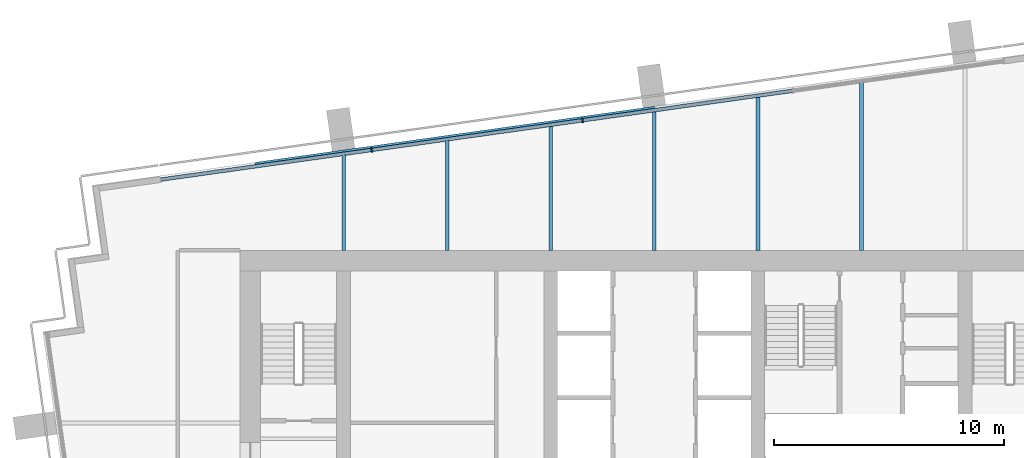
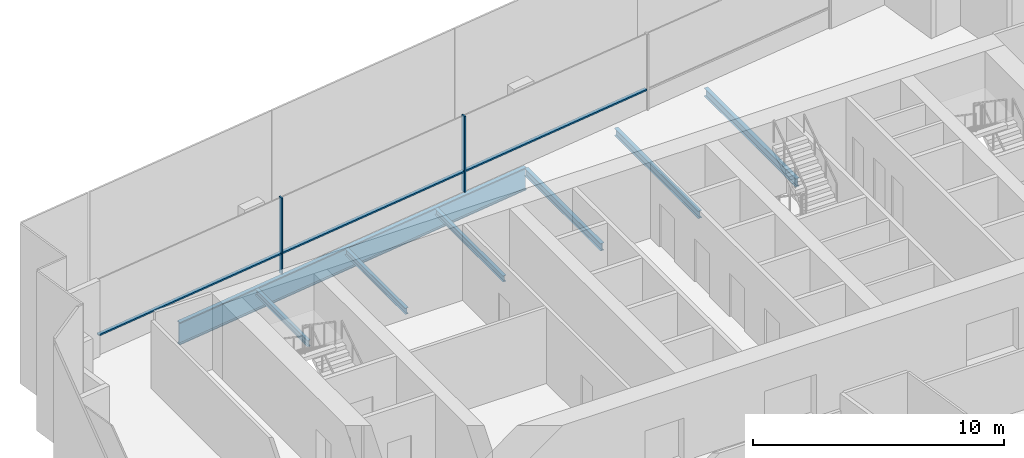
# One storey, part 5 of 15: 7 beams, 5 members, 1 element without a shape of its own.
"""IFC4 building model written with IfcOpenShell, lengths in metres."""

from ifc_helpers import new_model, si_unit, direction, frame, origin, origin_2d, place, context, subcontext, project, spatial, rectangle, i_section, extrude, material, layer, layer_set, material_profile, profile_set, type_object, element, aggregate, save


model = new_model("IFC4")

# Units and contexts
model_context = context("Model", 3, precision=1e-05, world=origin(), true_north=direction((0.0, 1.0)))
body_context = subcontext(model_context, "Body", "Model", "MODEL_VIEW")
ifc_project = project(units=[si_unit("LENGTHUNIT", "METRE"), si_unit("AREAUNIT", "SQUARE_METRE"), si_unit("VOLUMEUNIT", "CUBIC_METRE"), si_unit("PLANEANGLEUNIT", "RADIAN"), si_unit("MASSUNIT", "GRAM", prefix="KILO")], contexts=[model_context])

# Site, building, storey
site_placement = place(None, origin())
site = spatial("IfcSite", under=ifc_project, at=site_placement, CompositionType="ELEMENT")
building_placement = place(site_placement, origin())
building = spatial("IfcBuilding", under=site, at=building_placement, Name="Rattan Terrace Tower", CompositionType="ELEMENT")
storey_placement = place(building_placement, frame((0.0, 0.0, 266.800048828125)))
storey = spatial("IfcBuildingStorey", under=building, at=storey_placement, Name="L61", CompositionType="ELEMENT", Elevation=266.800048828125)

# Beams
ifc_material_1 = material(Name="Steel S460", Category="steel")
ifc_material_profile_1 = material_profile(ifc_material_1, i_section(OverallWidth=0.179931640625, OverallDepth=1.10009765625, WebThickness=0.01611328125, FlangeThickness=0.050048828125, at=origin_2d()), Name="PG 1100x180-16-50")
ifc_profile_set_1 = profile_set([ifc_material_profile_1], Name="Steel S460")
beam_type_1 = type_object("IfcBeamType", Name="Frame edge girder PG 1100x180-16-50", PredefinedType="SPANDREL", material=ifc_profile_set_1)
beam_1_placement = place(storey_placement, frame((-17.347900390625, 11.22900390625, -0.75), z_axis=(0.990275473288, 0.139120404699, 0.0), x_axis=(-0.139120404699, 0.990275473288, 0.0)))
element("IfcBeam", 1, at=beam_1_placement, inside=storey, type_object=beam_type_1, Name="gdr-L61-005", PredefinedType="SPANDREL", context=body_context, shape_type="SweptSolid", body=[
    extrude(i_section(OverallWidth=0.179931640625, OverallDepth=1.10009765625, WebThickness=0.01611328125, FlangeThickness=0.050048828125, at=origin_2d()), origin(), (0.0, 0.0, 1.0), 17.53125),
])
ifc_material_2 = material(Name="Steel S355", Category="steel")
ifc_material_profile_2 = material_profile(ifc_material_2, i_section(OverallWidth=0.14990234375, OverallDepth=0.300048828125, WebThickness=0.007080078125, FlangeThickness=0.0107421875, FilletRadius=0.014892578125, at=origin_2d()), Name="IPE 300")
ifc_profile_set_2 = profile_set([ifc_material_profile_2], Name="Steel S355")
beam_type_2 = type_object("IfcBeamType", Name="Frame floor beam IPE 300", PredefinedType="JOIST", material=ifc_profile_set_2)
beam_2_placement = place(storey_placement, frame((-13.5, 7.5, -0.35009765625), z_axis=(0.0, 1.0, 0.0), x_axis=(-1.0, 0.0, 0.0)))
element("IfcBeam", 2, at=beam_2_placement, inside=storey, type_object=beam_type_2, Name="bm-L61-015", PredefinedType="JOIST", context=body_context, shape_type="SweptSolid", body=[
    extrude(i_section(OverallWidth=0.14990234375, OverallDepth=0.300048828125, WebThickness=0.007080078125, FlangeThickness=0.0107421875, FilletRadius=0.014892578125, at=origin_2d()), origin(), (0.0, 0.0, 1.0), 4.16796875),
])
beam_3_placement = place(storey_placement, frame((-9.0, 7.5, -0.35009765625), z_axis=(0.0, 1.0, 0.0), x_axis=(-1.0, 0.0, 0.0)))
element("IfcBeam", 3, at=beam_3_placement, inside=storey, type_object=beam_type_2, Name="bm-L61-016", PredefinedType="JOIST", context=body_context, shape_type="SweptSolid", body=[
    extrude(i_section(OverallWidth=0.14990234375, OverallDepth=0.300048828125, WebThickness=0.007080078125, FlangeThickness=0.0107421875, FilletRadius=0.014892578125, at=origin_2d()), origin(), (0.0, 0.0, 1.0), 4.800048828125),
])
beam_4_placement = place(storey_placement, frame((-4.5, 7.5, -0.35009765625), z_axis=(0.0, 1.0, 0.0), x_axis=(-1.0, 0.0, 0.0)))
element("IfcBeam", 4, at=beam_4_placement, inside=storey, type_object=beam_type_2, Name="bm-L61-017", PredefinedType="JOIST", context=body_context, shape_type="SweptSolid", body=[
    extrude(i_section(OverallWidth=0.14990234375, OverallDepth=0.300048828125, WebThickness=0.007080078125, FlangeThickness=0.0107421875, FilletRadius=0.014892578125, at=origin_2d()), origin(), (0.0, 0.0, 1.0), 5.43310546875),
])
ifc_material_3 = material(Name="Steel S355", Category="steel")
ifc_material_profile_3 = material_profile(ifc_material_3, i_section(OverallWidth=0.169921875, OverallDepth=0.360107421875, WebThickness=0.008056640625, FlangeThickness=0.0126953125, FilletRadius=0.01806640625, at=origin_2d()), Name="IPE 360")
ifc_profile_set_3 = profile_set([ifc_material_profile_3], Name="Steel S355")
beam_type_3 = type_object("IfcBeamType", Name="Frame floor beam IPE 360", PredefinedType="JOIST", material=ifc_profile_set_3)
beam_5_placement = place(storey_placement, frame((0.0, 7.5, -0.380126953125), z_axis=(0.0, 1.0, 0.0), x_axis=(-1.0, 0.0, 0.0)))
element("IfcBeam", 5, at=beam_5_placement, inside=storey, type_object=beam_type_3, Name="bm-L61-018", PredefinedType="JOIST", context=body_context, shape_type="SweptSolid", body=[
    extrude(i_section(OverallWidth=0.169921875, OverallDepth=0.360107421875, WebThickness=0.008056640625, FlangeThickness=0.0126953125, FilletRadius=0.01806640625, at=origin_2d()), origin(), (0.0, 0.0, 1.0), 6.06298828125),
])
beam_6_placement = place(storey_placement, frame((4.5, 7.5, -0.380126953125), z_axis=(0.0, 1.0, 0.0), x_axis=(-1.0, 0.0, 0.0)))
element("IfcBeam", 6, at=beam_6_placement, inside=storey, type_object=beam_type_3, Name="bm-L61-019", PredefinedType="JOIST", context=body_context, shape_type="SweptSolid", body=[
    extrude(i_section(OverallWidth=0.169921875, OverallDepth=0.360107421875, WebThickness=0.008056640625, FlangeThickness=0.0126953125, FilletRadius=0.01806640625, at=origin_2d()), origin(), (0.0, 0.0, 1.0), 6.696044921875),
])
ifc_material_4 = material(Name="Steel S355", Category="steel")
ifc_material_profile_4 = material_profile(ifc_material_4, i_section(OverallWidth=0.179931640625, OverallDepth=0.39990234375, WebThickness=0.008544921875, FlangeThickness=0.013427734375, FilletRadius=0.02099609375, at=origin_2d()), Name="IPE 400")
ifc_profile_set_4 = profile_set([ifc_material_profile_4], Name="Steel S355")
beam_type_4 = type_object("IfcBeamType", Name="Frame floor beam IPE 400", PredefinedType="JOIST", material=ifc_profile_set_4)
beam_7_placement = place(storey_placement, frame((9.0, 7.5, -0.400146484375), z_axis=(0.0, 1.0, 0.0), x_axis=(-1.0, 0.0, 0.0)))
element("IfcBeam", 7, at=beam_7_placement, inside=storey, type_object=beam_type_4, Name="bm-L61-020", PredefinedType="JOIST", context=body_context, shape_type="SweptSolid", body=[
    extrude(i_section(OverallWidth=0.179931640625, OverallDepth=0.39990234375, WebThickness=0.008544921875, FlangeThickness=0.013427734375, FilletRadius=0.02099609375, at=origin_2d()), origin(), (0.0, 0.0, 1.0), 7.327880859375),
])

# Curtain wall, members
ifc_material_5 = material(Name="Aluminium and laminated glass", Category="aluminium")
ifc_layer = layer(ifc_material_5, 0.199951171875)
ifc_layer_set = layer_set([ifc_layer], Name="High-Zone Unitised Curtain Wall")
curtain_wall_type = type_object("IfcCurtainWallType", Name="High-Zone Unitised Curtain Wall", PredefinedType="NOTDEFINED", material=ifc_layer_set)
curtain_wall_placement = place(storey_placement, origin())
curtain_wall = element("IfcCurtainWall", 8, at=curtain_wall_placement, inside=storey, type_object=curtain_wall_type, Name="High-zone curtain wall L61-2", PredefinedType="NOTDEFINED")
ifc_material_6 = material(Name="Aluminium", Category="aluminium")
ifc_material_profile_5 = material_profile(ifc_material_6, rectangle(XDim=0.070068359375, YDim=0.199951171875, at=origin_2d()), Name="Aluminium 70x200")
ifc_profile_set_5 = profile_set([ifc_material_profile_5], Name="Aluminium")
member_type_1 = type_object("IfcMemberType", Name="High-Zone CW Mullion 70x200", PredefinedType="MULLION", material=ifc_profile_set_5)
member_1_placement = place(storey_placement, frame((-3.1181640625, 13.14697265625, 0.0), z_axis=(0.0, 0.0, 1.0), x_axis=(-0.990265894013, -0.139188574079, 0.0)))
member_1 = element("IfcMember", 9, at=member_1_placement, type_object=member_type_1, Name="Mullion cwl-L61-002.3", PredefinedType="MULLION", context=body_context, shape_type="SweptSolid", body=[
    extrude(rectangle(XDim=0.070068359375, YDim=0.199951171875, at=origin_2d()), origin(), (0.0, 0.0, 1.0), 3.699951171875),
])
member_2_placement = place(storey_placement, frame((-12.27734375, 11.859619140625, 0.0), z_axis=(0.0, 0.0, 1.0), x_axis=(-0.990265894013, -0.139188574079, 0.0)))
member_2 = element("IfcMember", 10, at=member_2_placement, type_object=member_type_1, Name="Mullion cwl-L61-002.4", PredefinedType="MULLION", context=body_context, shape_type="SweptSolid", body=[
    extrude(rectangle(XDim=0.070068359375, YDim=0.199951171875, at=origin_2d()), origin(), (0.0, 0.0, 1.0), 3.699951171875),
])
ifc_material_7 = material(Name="Aluminium", Category="aluminium")
ifc_material_profile_6 = material_profile(ifc_material_7, rectangle(XDim=0.159912109375, YDim=0.070068359375, at=origin_2d()), Name="Aluminium 160x70")
ifc_profile_set_6 = profile_set([ifc_material_profile_6], Name="Aluminium")
member_type_2 = type_object("IfcMemberType", Name="High-Zone CW Transom 160x70", PredefinedType="USERDEFINED", material=ifc_profile_set_6)
member_3_placement = place(storey_placement, frame((6.006103515625, 14.429443359375, 1.0), z_axis=(-0.990266147156, -0.139186773067, 0.0), x_axis=(0.139186773067, -0.990266147156, 0.0)))
member_3 = element("IfcMember", 11, at=member_3_placement, type_object=member_type_2, Name="Transom cwl-L61-002.2", ObjectType="TRANSOM", PredefinedType="USERDEFINED", context=body_context, shape_type="SweptSolid", body=[
    extrude(rectangle(XDim=0.159912109375, YDim=0.070068359375, at=origin_2d()), origin(), (0.0, 0.0, 1.0), 9.178955078125),
])
member_4_placement = place(storey_placement, frame((-3.15283203125, 13.14208984375, 1.0), z_axis=(-0.990266662415, -0.139183107123, 0.0), x_axis=(0.139183107123, -0.990266662415, 0.0)))
member_4 = element("IfcMember", 12, at=member_4_placement, type_object=member_type_2, Name="Transom cwl-L61-002.3", ObjectType="TRANSOM", PredefinedType="USERDEFINED", context=body_context, shape_type="SweptSolid", body=[
    extrude(rectangle(XDim=0.159912109375, YDim=0.070068359375, at=origin_2d()), origin(), (0.0, 0.0, 1.0), 9.17919921875),
])
member_5_placement = place(storey_placement, frame((-12.31201171875, 11.854736328125, 1.0), z_axis=(-0.990263767768, -0.139203700545, 0.0), x_axis=(0.139203700545, -0.990263767768, 0.0)))
member_5 = element("IfcMember", 13, at=member_5_placement, type_object=member_type_2, Name="Transom cwl-L61-002.4", ObjectType="TRANSOM", PredefinedType="USERDEFINED", context=body_context, shape_type="SweptSolid", body=[
    extrude(rectangle(XDim=0.159912109375, YDim=0.070068359375, at=origin_2d()), origin(), (0.0, 0.0, 1.0), 9.21826171875),
])
aggregate(curtain_wall, [member_1, member_2, member_3, member_4, member_5])

save(model, "model.ifc")
